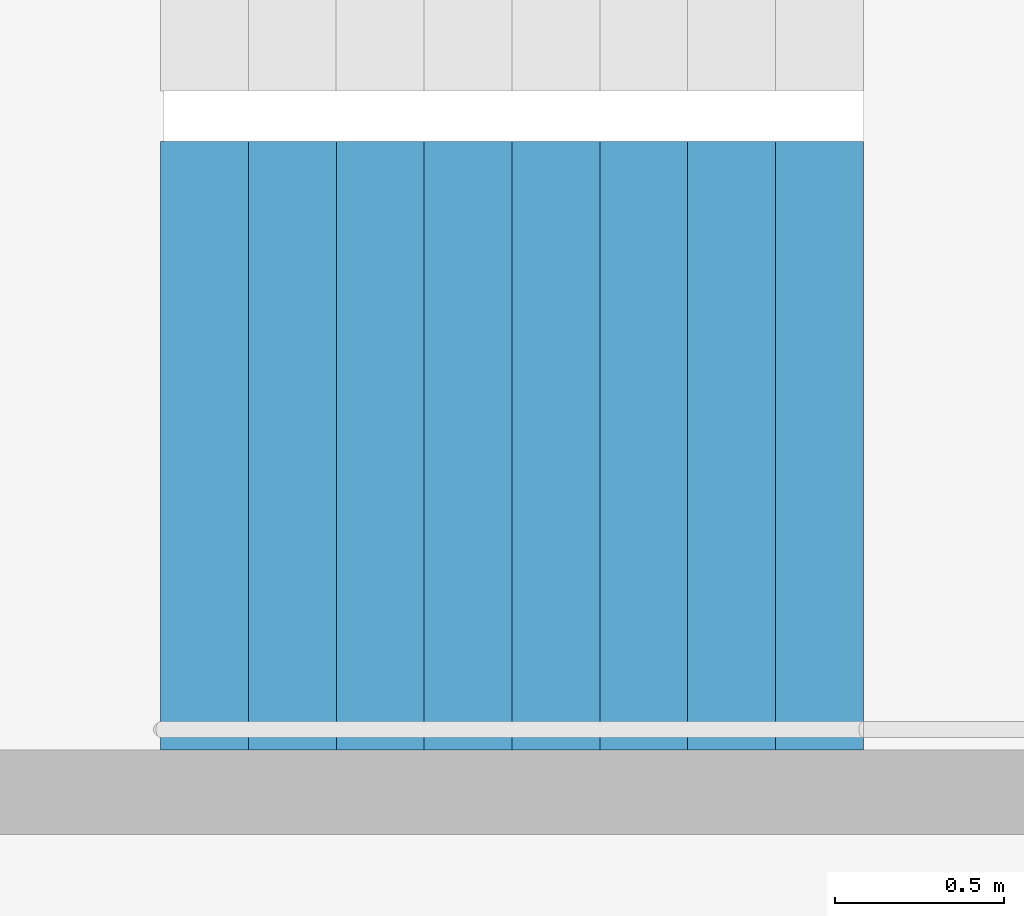
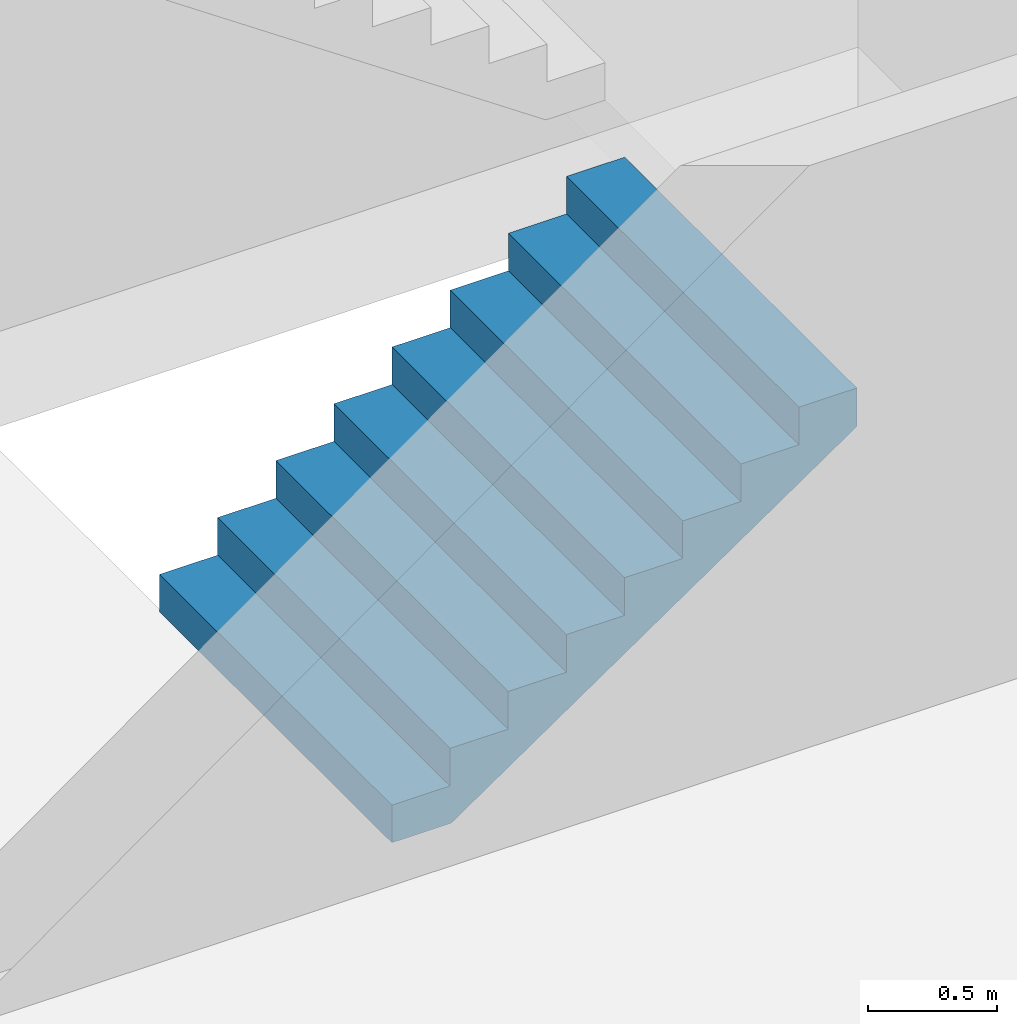
# One storey, part 20 of 26: 1 stair flight, 1 element without a shape of its own.
"""IFC4 building model written with IfcOpenShell, lengths in metres."""

from ifc_helpers import new_model, si_unit, direction, frame, origin, place, context, subcontext, project, spatial, triangles, material, type_object, element, aggregate, save


model = new_model("IFC4")

# Units and contexts
model_context = context("Model", 3, precision=1e-05, world=origin(), true_north=direction((0.0, 1.0)))
body_context = subcontext(model_context, "Body", "Model", "MODEL_VIEW")
ifc_project = project(units=[si_unit("LENGTHUNIT", "METRE"), si_unit("AREAUNIT", "SQUARE_METRE"), si_unit("VOLUMEUNIT", "CUBIC_METRE"), si_unit("PLANEANGLEUNIT", "RADIAN"), si_unit("MASSUNIT", "GRAM", prefix="KILO")], contexts=[model_context])

# Site, building, storey
site_placement = place(None, origin())
site = spatial("IfcSite", under=ifc_project, at=site_placement, CompositionType="ELEMENT")
building_placement = place(site_placement, origin())
building = spatial("IfcBuilding", under=site, at=building_placement, Name="Hakoniwa Tower and Hamabe Station Hall", CompositionType="ELEMENT")
storey_placement = place(building_placement, frame((0.0, 0.0, 134.199951171875)))
storey = spatial("IfcBuildingStorey", under=building, at=storey_placement, Name="L37", CompositionType="ELEMENT", Elevation=134.199951171875)

# Stair, stair flight
ifc_material_1 = material(Name="Concrete C40", Category="concrete")
stair_type = type_object("IfcStairType", Name="ESCAPE STAIR 1800", PredefinedType="HALF_TURN_STAIR", material=ifc_material_1)
stair_placement = place(storey_placement, origin())
stair = element("IfcStair", 1, at=stair_placement, inside=storey, type_object=stair_type, Name="Escape stair ST-1 L37", PredefinedType="HALF_TURN_STAIR")
ifc_material_2 = material(Name="Concrete C40", Category="concrete")
stair_flight_type = type_object("IfcStairFlightType", Name="STAIR FLIGHT 1800", PredefinedType="STRAIGHT", material=ifc_material_2)
stair_flight_placement = place(storey_placement, frame((-24.39990234375, 4.64990234375, 0.0), z_axis=(0.0, 0.0, 1.0), x_axis=(1.0, 0.0, 0.0)))
stair_flight = element("IfcStairFlight", 2, at=stair_flight_placement, type_object=stair_flight_type, Name="ST-1 flight 1", NumberOfRisers=9, NumberOfTreads=8, PredefinedType="STRAIGHT", RiserHeight=0.177777778, TreadLength=0.26, context=body_context, shape_type="Tessellation", body=[
    triangles([(0.0, 0.89990234375, 0.0), (0.260009765625, 0.89990234375, 0.0), (0.265625, 0.89990234375, 0.0), (0.52001953125, 0.89990234375, 0.174072265625), (0.780029296875, 0.89990234375, 0.351806640625), (1.0400390625, 0.89990234375, 0.529541015625), (1.300048828125, 0.89990234375, 0.707275390625), (1.56005859375, 0.89990234375, 0.885009765625), (1.820068359375, 0.89990234375, 1.062744140625), (2.080078125, 0.89990234375, 1.24072265625), (2.080078125, 0.89990234375, 1.422119140625), (1.820068359375, 0.89990234375, 1.422119140625), (1.820068359375, 0.89990234375, 1.244384765625), (1.56005859375, 0.89990234375, 1.244384765625), (1.56005859375, 0.89990234375, 1.066650390625), (1.300048828125, 0.89990234375, 1.066650390625), (1.300048828125, 0.89990234375, 0.888916015625), (1.0400390625, 0.89990234375, 0.888916015625), (1.0400390625, 0.89990234375, 0.711181640625), (0.780029296875, 0.89990234375, 0.711181640625), (0.780029296875, 0.89990234375, 0.533447265625), (0.52001953125, 0.89990234375, 0.533447265625), (0.52001953125, 0.89990234375, 0.35546875), (0.265625, 0.89990234375, 0.35546875), (0.260009765625, 0.89990234375, 0.35546875), (0.260009765625, 0.89990234375, 0.177734375), (0.0, 0.89990234375, 0.177734375), (0.0, 0.06005859375, 0.0), (0.260009765625, 0.06005859375, 0.0), (0.265625, 0.06005859375, 0.0), (0.52001953125, 0.06005859375, 0.174072265625), (0.780029296875, 0.06005859375, 0.351806640625), (1.0400390625, 0.06005859375, 0.529541015625), (1.300048828125, 0.06005859375, 0.707275390625), (1.56005859375, 0.06005859375, 0.885009765625), (1.820068359375, 0.06005859375, 1.062744140625), (2.080078125, 0.06005859375, 1.24072265625), (2.080078125, 0.06005859375, 1.422119140625), (1.820068359375, 0.06005859375, 1.422119140625), (1.820068359375, 0.06005859375, 1.244384765625), (1.56005859375, 0.06005859375, 1.244384765625), (1.56005859375, 0.06005859375, 1.066650390625), (1.300048828125, 0.06005859375, 1.066650390625), (1.300048828125, 0.06005859375, 0.888916015625), (1.0400390625, 0.06005859375, 0.888916015625), (1.0400390625, 0.06005859375, 0.711181640625), (0.780029296875, 0.06005859375, 0.711181640625), (0.780029296875, 0.06005859375, 0.533447265625), (0.52001953125, 0.06005859375, 0.533447265625), (0.52001953125, 0.06005859375, 0.35546875), (0.265625, 0.06005859375, 0.35546875), (0.260009765625, 0.06005859375, 0.35546875), (0.260009765625, 0.06005859375, 0.177734375), (0.0, 0.06005859375, 0.177734375), (0.0, 0.04296875, 0.0), (0.260009765625, 0.04296875, 0.0), (0.265625, 0.04296875, 0.0), (0.52001953125, 0.04296875, 0.174072265625), (0.780029296875, 0.04296875, 0.351806640625), (1.0400390625, 0.04296875, 0.529541015625), (1.300048828125, 0.04296875, 0.707275390625), (1.56005859375, 0.04296875, 0.885009765625), (1.820068359375, 0.04296875, 1.062744140625), (2.080078125, 0.04296875, 1.24072265625), (2.080078125, 0.04296875, 1.422119140625), (1.820068359375, 0.04296875, 1.422119140625), (1.820068359375, 0.04296875, 1.244384765625), (1.56005859375, 0.04296875, 1.244384765625), (1.56005859375, 0.04296875, 1.066650390625), (1.300048828125, 0.04296875, 1.066650390625), (1.300048828125, 0.04296875, 0.888916015625), (1.0400390625, 0.04296875, 0.888916015625), (1.0400390625, 0.04296875, 0.711181640625), (0.780029296875, 0.04296875, 0.711181640625), (0.780029296875, 0.04296875, 0.533447265625), (0.52001953125, 0.04296875, 0.533447265625), (0.52001953125, 0.04296875, 0.35546875), (0.265625, 0.04296875, 0.35546875), (0.260009765625, 0.04296875, 0.35546875), (0.260009765625, 0.04296875, 0.177734375), (0.0, 0.04296875, 0.177734375), (0.0, 0.025634765625, 0.0), (0.260009765625, 0.025634765625, 0.0), (0.265625, 0.025634765625, 0.0), (0.52001953125, 0.025634765625, 0.174072265625), (0.780029296875, 0.025634765625, 0.351806640625), (1.0400390625, 0.025634765625, 0.529541015625), (1.300048828125, 0.025634765625, 0.707275390625), (1.56005859375, 0.025634765625, 0.885009765625), (1.820068359375, 0.025634765625, 1.062744140625), (2.080078125, 0.025634765625, 1.24072265625), (2.080078125, 0.025634765625, 1.422119140625), (1.820068359375, 0.025634765625, 1.422119140625), (1.820068359375, 0.025634765625, 1.244384765625), (1.56005859375, 0.025634765625, 1.244384765625), (1.56005859375, 0.025634765625, 1.066650390625), (1.300048828125, 0.025634765625, 1.066650390625), (1.300048828125, 0.025634765625, 0.888916015625), (1.0400390625, 0.025634765625, 0.888916015625), (1.0400390625, 0.025634765625, 0.711181640625), (0.780029296875, 0.025634765625, 0.711181640625), (0.780029296875, 0.025634765625, 0.533447265625), (0.52001953125, 0.025634765625, 0.533447265625), (0.52001953125, 0.025634765625, 0.35546875), (0.265625, 0.025634765625, 0.35546875), (0.260009765625, 0.025634765625, 0.35546875), (0.260009765625, 0.025634765625, 0.177734375), (0.0, 0.025634765625, 0.177734375), (0.0, 0.008544921875, 0.0), (0.260009765625, 0.008544921875, 0.0), (0.265625, 0.008544921875, 0.0), (0.52001953125, 0.008544921875, 0.174072265625), (0.780029296875, 0.008544921875, 0.351806640625), (1.0400390625, 0.008544921875, 0.529541015625), (1.300048828125, 0.008544921875, 0.707275390625), (1.56005859375, 0.008544921875, 0.885009765625), (1.820068359375, 0.008544921875, 1.062744140625), (2.080078125, 0.008544921875, 1.24072265625), (2.080078125, 0.008544921875, 1.422119140625), (1.820068359375, 0.008544921875, 1.422119140625), (1.820068359375, 0.008544921875, 1.244384765625), (1.56005859375, 0.008544921875, 1.244384765625), (1.56005859375, 0.008544921875, 1.066650390625), (1.300048828125, 0.008544921875, 1.066650390625), (1.300048828125, 0.008544921875, 0.888916015625), (1.0400390625, 0.008544921875, 0.888916015625), (1.0400390625, 0.008544921875, 0.711181640625), (0.780029296875, 0.008544921875, 0.711181640625), (0.780029296875, 0.008544921875, 0.533447265625), (0.52001953125, 0.008544921875, 0.533447265625), (0.52001953125, 0.008544921875, 0.35546875), (0.265625, 0.008544921875, 0.35546875), (0.260009765625, 0.008544921875, 0.35546875), (0.260009765625, 0.008544921875, 0.177734375), (0.0, 0.008544921875, 0.177734375), (0.0, -0.008544921875, 0.0), (0.260009765625, -0.008544921875, 0.0), (0.265625, -0.008544921875, 0.0), (0.52001953125, -0.008544921875, 0.174072265625), (0.780029296875, -0.008544921875, 0.351806640625), (1.0400390625, -0.008544921875, 0.529541015625), (1.300048828125, -0.008544921875, 0.707275390625), (1.56005859375, -0.008544921875, 0.885009765625), (1.820068359375, -0.008544921875, 1.062744140625), (2.080078125, -0.008544921875, 1.24072265625), (2.080078125, -0.008544921875, 1.422119140625), (1.820068359375, -0.008544921875, 1.422119140625), (1.820068359375, -0.008544921875, 1.244384765625), (1.56005859375, -0.008544921875, 1.244384765625), (1.56005859375, -0.008544921875, 1.066650390625), (1.300048828125, -0.008544921875, 1.066650390625), (1.300048828125, -0.008544921875, 0.888916015625), (1.0400390625, -0.008544921875, 0.888916015625), (1.0400390625, -0.008544921875, 0.711181640625), (0.780029296875, -0.008544921875, 0.711181640625), (0.780029296875, -0.008544921875, 0.533447265625), (0.52001953125, -0.008544921875, 0.533447265625), (0.52001953125, -0.008544921875, 0.35546875), (0.265625, -0.008544921875, 0.35546875), (0.260009765625, -0.008544921875, 0.35546875), (0.260009765625, -0.008544921875, 0.177734375), (0.0, -0.008544921875, 0.177734375), (0.0, -0.025634765625, 0.0), (0.260009765625, -0.025634765625, 0.0), (0.265625, -0.025634765625, 0.0), (0.52001953125, -0.025634765625, 0.174072265625), (0.780029296875, -0.025634765625, 0.351806640625), (1.0400390625, -0.025634765625, 0.529541015625), (1.300048828125, -0.025634765625, 0.707275390625), (1.56005859375, -0.025634765625, 0.885009765625), (1.820068359375, -0.025634765625, 1.062744140625), (2.080078125, -0.025634765625, 1.24072265625), (2.080078125, -0.025634765625, 1.422119140625), (1.820068359375, -0.025634765625, 1.422119140625), (1.820068359375, -0.025634765625, 1.244384765625), (1.56005859375, -0.025634765625, 1.244384765625), (1.56005859375, -0.025634765625, 1.066650390625), (1.300048828125, -0.025634765625, 1.066650390625), (1.300048828125, -0.025634765625, 0.888916015625), (1.0400390625, -0.025634765625, 0.888916015625), (1.0400390625, -0.025634765625, 0.711181640625), (0.780029296875, -0.025634765625, 0.711181640625), (0.780029296875, -0.025634765625, 0.533447265625), (0.52001953125, -0.025634765625, 0.533447265625), (0.52001953125, -0.025634765625, 0.35546875), (0.265625, -0.025634765625, 0.35546875), (0.260009765625, -0.025634765625, 0.35546875), (0.260009765625, -0.025634765625, 0.177734375), (0.0, -0.025634765625, 0.177734375), (0.0, -0.04296875, 0.0), (0.260009765625, -0.04296875, 0.0), (0.265625, -0.04296875, 0.0), (0.52001953125, -0.04296875, 0.174072265625), (0.780029296875, -0.04296875, 0.351806640625), (1.0400390625, -0.04296875, 0.529541015625), (1.300048828125, -0.04296875, 0.707275390625), (1.56005859375, -0.04296875, 0.885009765625), (1.820068359375, -0.04296875, 1.062744140625), (2.080078125, -0.04296875, 1.24072265625), (2.080078125, -0.04296875, 1.422119140625), (1.820068359375, -0.04296875, 1.422119140625), (1.820068359375, -0.04296875, 1.244384765625), (1.56005859375, -0.04296875, 1.244384765625), (1.56005859375, -0.04296875, 1.066650390625), (1.300048828125, -0.04296875, 1.066650390625), (1.300048828125, -0.04296875, 0.888916015625), (1.0400390625, -0.04296875, 0.888916015625), (1.0400390625, -0.04296875, 0.711181640625), (0.780029296875, -0.04296875, 0.711181640625), (0.780029296875, -0.04296875, 0.533447265625), (0.52001953125, -0.04296875, 0.533447265625), (0.52001953125, -0.04296875, 0.35546875), (0.265625, -0.04296875, 0.35546875), (0.260009765625, -0.04296875, 0.35546875), (0.260009765625, -0.04296875, 0.177734375), (0.0, -0.04296875, 0.177734375), (0.0, -0.06005859375, 0.0), (0.260009765625, -0.06005859375, 0.0), (0.265625, -0.06005859375, 0.0), (0.52001953125, -0.06005859375, 0.174072265625), (0.780029296875, -0.06005859375, 0.351806640625), (1.0400390625, -0.06005859375, 0.529541015625), (1.300048828125, -0.06005859375, 0.707275390625), (1.56005859375, -0.06005859375, 0.885009765625), (1.820068359375, -0.06005859375, 1.062744140625), (2.080078125, -0.06005859375, 1.24072265625), (2.080078125, -0.06005859375, 1.422119140625), (1.820068359375, -0.06005859375, 1.422119140625), (1.820068359375, -0.06005859375, 1.244384765625), (1.56005859375, -0.06005859375, 1.244384765625), (1.56005859375, -0.06005859375, 1.066650390625), (1.300048828125, -0.06005859375, 1.066650390625), (1.300048828125, -0.06005859375, 0.888916015625), (1.0400390625, -0.06005859375, 0.888916015625), (1.0400390625, -0.06005859375, 0.711181640625), (0.780029296875, -0.06005859375, 0.711181640625), (0.780029296875, -0.06005859375, 0.533447265625), (0.52001953125, -0.06005859375, 0.533447265625), (0.52001953125, -0.06005859375, 0.35546875), (0.265625, -0.06005859375, 0.35546875), (0.260009765625, -0.06005859375, 0.35546875), (0.260009765625, -0.06005859375, 0.177734375), (0.0, -0.06005859375, 0.177734375), (0.0, -0.89990234375, 0.0), (0.260009765625, -0.89990234375, 0.0), (0.265625, -0.89990234375, 0.0), (0.52001953125, -0.89990234375, 0.174072265625), (0.780029296875, -0.89990234375, 0.351806640625), (1.0400390625, -0.89990234375, 0.529541015625), (1.300048828125, -0.89990234375, 0.707275390625), (1.56005859375, -0.89990234375, 0.885009765625), (1.820068359375, -0.89990234375, 1.062744140625), (2.080078125, -0.89990234375, 1.24072265625), (2.080078125, -0.89990234375, 1.422119140625), (1.820068359375, -0.89990234375, 1.422119140625), (1.820068359375, -0.89990234375, 1.244384765625), (1.56005859375, -0.89990234375, 1.244384765625), (1.56005859375, -0.89990234375, 1.066650390625), (1.300048828125, -0.89990234375, 1.066650390625), (1.300048828125, -0.89990234375, 0.888916015625), (1.0400390625, -0.89990234375, 0.888916015625), (1.0400390625, -0.89990234375, 0.711181640625), (0.780029296875, -0.89990234375, 0.711181640625), (0.780029296875, -0.89990234375, 0.533447265625), (0.52001953125, -0.89990234375, 0.533447265625), (0.52001953125, -0.89990234375, 0.35546875), (0.265625, -0.89990234375, 0.35546875), (0.260009765625, -0.89990234375, 0.35546875), (0.260009765625, -0.89990234375, 0.177734375), (0.0, -0.89990234375, 0.177734375)], [[2, 27, 26], [245, 269, 270], [2, 1, 27], [245, 270, 244], [3, 25, 24], [246, 267, 268], [3, 26, 25], [246, 268, 269], [3, 2, 26], [246, 269, 245], [4, 24, 23], [247, 266, 267], [4, 3, 24], [247, 267, 246], [5, 22, 21], [248, 264, 265], [5, 23, 22], [248, 265, 266], [5, 4, 23], [248, 266, 247], [6, 20, 19], [249, 262, 263], [6, 21, 20], [249, 263, 264], [6, 5, 21], [249, 264, 248], [7, 18, 17], [250, 260, 261], [7, 19, 18], [250, 261, 262], [7, 6, 19], [250, 262, 249], [8, 16, 15], [251, 258, 259], [8, 17, 16], [251, 259, 260], [8, 7, 17], [251, 260, 250], [9, 14, 13], [252, 256, 257], [9, 15, 14], [252, 257, 258], [9, 8, 15], [252, 258, 251], [10, 12, 11], [253, 254, 255], [10, 13, 12], [253, 255, 256], [10, 9, 13], [253, 256, 252], [1, 2, 29], [1, 29, 28], [28, 29, 56], [28, 56, 55], [55, 56, 83], [55, 83, 82], [82, 83, 110], [82, 110, 109], [109, 110, 137], [109, 137, 136], [136, 137, 164], [136, 164, 163], [163, 164, 191], [163, 191, 190], [190, 191, 218], [190, 218, 217], [217, 218, 245], [217, 245, 244], [2, 3, 30], [2, 30, 29], [29, 30, 57], [29, 57, 56], [56, 57, 84], [56, 84, 83], [83, 84, 111], [83, 111, 110], [110, 111, 138], [110, 138, 137], [137, 138, 165], [137, 165, 164], [164, 165, 192], [164, 192, 191], [191, 192, 219], [191, 219, 218], [218, 219, 246], [218, 246, 245], [3, 4, 31], [3, 31, 30], [30, 31, 58], [30, 58, 57], [57, 58, 85], [57, 85, 84], [84, 85, 112], [84, 112, 111], [111, 112, 139], [111, 139, 138], [138, 139, 166], [138, 166, 165], [165, 166, 193], [165, 193, 192], [192, 193, 220], [192, 220, 219], [219, 220, 247], [219, 247, 246], [4, 5, 32], [4, 32, 31], [31, 32, 59], [31, 59, 58], [58, 59, 86], [58, 86, 85], [85, 86, 113], [85, 113, 112], [112, 113, 140], [112, 140, 139], [139, 140, 167], [139, 167, 166], [166, 167, 194], [166, 194, 193], [193, 194, 221], [193, 221, 220], [220, 221, 248], [220, 248, 247], [5, 6, 33], [5, 33, 32], [32, 33, 60], [32, 60, 59], [59, 60, 87], [59, 87, 86], [86, 87, 114], [86, 114, 113], [113, 114, 141], [113, 141, 140], [140, 141, 168], [140, 168, 167], [167, 168, 195], [167, 195, 194], [194, 195, 222], [194, 222, 221], [221, 222, 249], [221, 249, 248], [6, 7, 34], [6, 34, 33], [33, 34, 61], [33, 61, 60], [60, 61, 88], [60, 88, 87], [87, 88, 115], [87, 115, 114], [114, 115, 142], [114, 142, 141], [141, 142, 169], [141, 169, 168], [168, 169, 196], [168, 196, 195], [195, 196, 223], [195, 223, 222], [222, 223, 250], [222, 250, 249], [7, 8, 35], [7, 35, 34], [34, 35, 62], [34, 62, 61], [61, 62, 89], [61, 89, 88], [88, 89, 116], [88, 116, 115], [115, 116, 143], [115, 143, 142], [142, 143, 170], [142, 170, 169], [169, 170, 197], [169, 197, 196], [196, 197, 224], [196, 224, 223], [223, 224, 251], [223, 251, 250], [8, 9, 36], [8, 36, 35], [35, 36, 63], [35, 63, 62], [62, 63, 90], [62, 90, 89], [89, 90, 117], [89, 117, 116], [116, 117, 144], [116, 144, 143], [143, 144, 171], [143, 171, 170], [170, 171, 198], [170, 198, 197], [197, 198, 225], [197, 225, 224], [224, 225, 252], [224, 252, 251], [9, 10, 37], [9, 37, 36], [36, 37, 64], [36, 64, 63], [63, 64, 91], [63, 91, 90], [90, 91, 118], [90, 118, 117], [117, 118, 145], [117, 145, 144], [144, 145, 172], [144, 172, 171], [171, 172, 199], [171, 199, 198], [198, 199, 226], [198, 226, 225], [225, 226, 253], [225, 253, 252], [10, 11, 38], [10, 38, 37], [37, 38, 65], [37, 65, 64], [64, 65, 92], [64, 92, 91], [91, 92, 119], [91, 119, 118], [118, 119, 146], [118, 146, 145], [145, 146, 173], [145, 173, 172], [172, 173, 200], [172, 200, 199], [199, 200, 227], [199, 227, 226], [226, 227, 254], [226, 254, 253], [11, 12, 39], [11, 39, 38], [38, 39, 66], [38, 66, 65], [65, 66, 93], [65, 93, 92], [92, 93, 120], [92, 120, 119], [119, 120, 147], [119, 147, 146], [146, 147, 174], [146, 174, 173], [173, 174, 201], [173, 201, 200], [200, 201, 228], [200, 228, 227], [227, 228, 255], [227, 255, 254], [12, 13, 40], [12, 40, 39], [39, 40, 67], [39, 67, 66], [66, 67, 94], [66, 94, 93], [93, 94, 121], [93, 121, 120], [120, 121, 148], [120, 148, 147], [147, 148, 175], [147, 175, 174], [174, 175, 202], [174, 202, 201], [201, 202, 229], [201, 229, 228], [228, 229, 256], [228, 256, 255], [13, 14, 41], [13, 41, 40], [40, 41, 68], [40, 68, 67], [67, 68, 95], [67, 95, 94], [94, 95, 122], [94, 122, 121], [121, 122, 149], [121, 149, 148], [148, 149, 176], [148, 176, 175], [175, 176, 203], [175, 203, 202], [202, 203, 230], [202, 230, 229], [229, 230, 257], [229, 257, 256], [14, 15, 42], [14, 42, 41], [41, 42, 69], [41, 69, 68], [68, 69, 96], [68, 96, 95], [95, 96, 123], [95, 123, 122], [122, 123, 150], [122, 150, 149], [149, 150, 177], [149, 177, 176], [176, 177, 204], [176, 204, 203], [203, 204, 231], [203, 231, 230], [230, 231, 258], [230, 258, 257], [15, 16, 43], [15, 43, 42], [42, 43, 70], [42, 70, 69], [69, 70, 97], [69, 97, 96], [96, 97, 124], [96, 124, 123], [123, 124, 151], [123, 151, 150], [150, 151, 178], [150, 178, 177], [177, 178, 205], [177, 205, 204], [204, 205, 232], [204, 232, 231], [231, 232, 259], [231, 259, 258], [16, 17, 44], [16, 44, 43], [43, 44, 71], [43, 71, 70], [70, 71, 98], [70, 98, 97], [97, 98, 125], [97, 125, 124], [124, 125, 152], [124, 152, 151], [151, 152, 179], [151, 179, 178], [178, 179, 206], [178, 206, 205], [205, 206, 233], [205, 233, 232], [232, 233, 260], [232, 260, 259], [17, 18, 45], [17, 45, 44], [44, 45, 72], [44, 72, 71], [71, 72, 99], [71, 99, 98], [98, 99, 126], [98, 126, 125], [125, 126, 153], [125, 153, 152], [152, 153, 180], [152, 180, 179], [179, 180, 207], [179, 207, 206], [206, 207, 234], [206, 234, 233], [233, 234, 261], [233, 261, 260], [18, 19, 46], [18, 46, 45], [45, 46, 73], [45, 73, 72], [72, 73, 100], [72, 100, 99], [99, 100, 127], [99, 127, 126], [126, 127, 154], [126, 154, 153], [153, 154, 181], [153, 181, 180], [180, 181, 208], [180, 208, 207], [207, 208, 235], [207, 235, 234], [234, 235, 262], [234, 262, 261], [19, 20, 47], [19, 47, 46], [46, 47, 74], [46, 74, 73], [73, 74, 101], [73, 101, 100], [100, 101, 128], [100, 128, 127], [127, 128, 155], [127, 155, 154], [154, 155, 182], [154, 182, 181], [181, 182, 209], [181, 209, 208], [208, 209, 236], [208, 236, 235], [235, 236, 263], [235, 263, 262], [20, 21, 48], [20, 48, 47], [47, 48, 75], [47, 75, 74], [74, 75, 102], [74, 102, 101], [101, 102, 129], [101, 129, 128], [128, 129, 156], [128, 156, 155], [155, 156, 183], [155, 183, 182], [182, 183, 210], [182, 210, 209], [209, 210, 237], [209, 237, 236], [236, 237, 264], [236, 264, 263], [21, 22, 49], [21, 49, 48], [48, 49, 76], [48, 76, 75], [75, 76, 103], [75, 103, 102], [102, 103, 130], [102, 130, 129], [129, 130, 157], [129, 157, 156], [156, 157, 184], [156, 184, 183], [183, 184, 211], [183, 211, 210], [210, 211, 238], [210, 238, 237], [237, 238, 265], [237, 265, 264], [22, 23, 50], [22, 50, 49], [49, 50, 77], [49, 77, 76], [76, 77, 104], [76, 104, 103], [103, 104, 131], [103, 131, 130], [130, 131, 158], [130, 158, 157], [157, 158, 185], [157, 185, 184], [184, 185, 212], [184, 212, 211], [211, 212, 239], [211, 239, 238], [238, 239, 266], [238, 266, 265], [23, 24, 51], [23, 51, 50], [50, 51, 78], [50, 78, 77], [77, 78, 105], [77, 105, 104], [104, 105, 132], [104, 132, 131], [131, 132, 159], [131, 159, 158], [158, 159, 186], [158, 186, 185], [185, 186, 213], [185, 213, 212], [212, 213, 240], [212, 240, 239], [239, 240, 267], [239, 267, 266], [24, 25, 52], [24, 52, 51], [51, 52, 79], [51, 79, 78], [78, 79, 106], [78, 106, 105], [105, 106, 133], [105, 133, 132], [132, 133, 160], [132, 160, 159], [159, 160, 187], [159, 187, 186], [186, 187, 214], [186, 214, 213], [213, 214, 241], [213, 241, 240], [240, 241, 268], [240, 268, 267], [25, 26, 53], [25, 53, 52], [52, 53, 80], [52, 80, 79], [79, 80, 107], [79, 107, 106], [106, 107, 134], [106, 134, 133], [133, 134, 161], [133, 161, 160], [160, 161, 188], [160, 188, 187], [187, 188, 215], [187, 215, 214], [214, 215, 242], [214, 242, 241], [241, 242, 269], [241, 269, 268], [26, 27, 54], [26, 54, 53], [53, 54, 81], [53, 81, 80], [80, 81, 108], [80, 108, 107], [107, 108, 135], [107, 135, 134], [134, 135, 162], [134, 162, 161], [161, 162, 189], [161, 189, 188], [188, 189, 216], [188, 216, 215], [215, 216, 243], [215, 243, 242], [242, 243, 270], [242, 270, 269], [27, 1, 28], [27, 28, 54], [54, 28, 55], [54, 55, 81], [81, 55, 82], [81, 82, 108], [108, 82, 109], [108, 109, 135], [135, 109, 136], [135, 136, 162], [162, 136, 163], [162, 163, 189], [189, 163, 190], [189, 190, 216], [216, 190, 217], [216, 217, 243], [243, 217, 244], [243, 244, 270]], closed=True),
])
aggregate(stair, [stair_flight])

save(model, "model.ifc")
